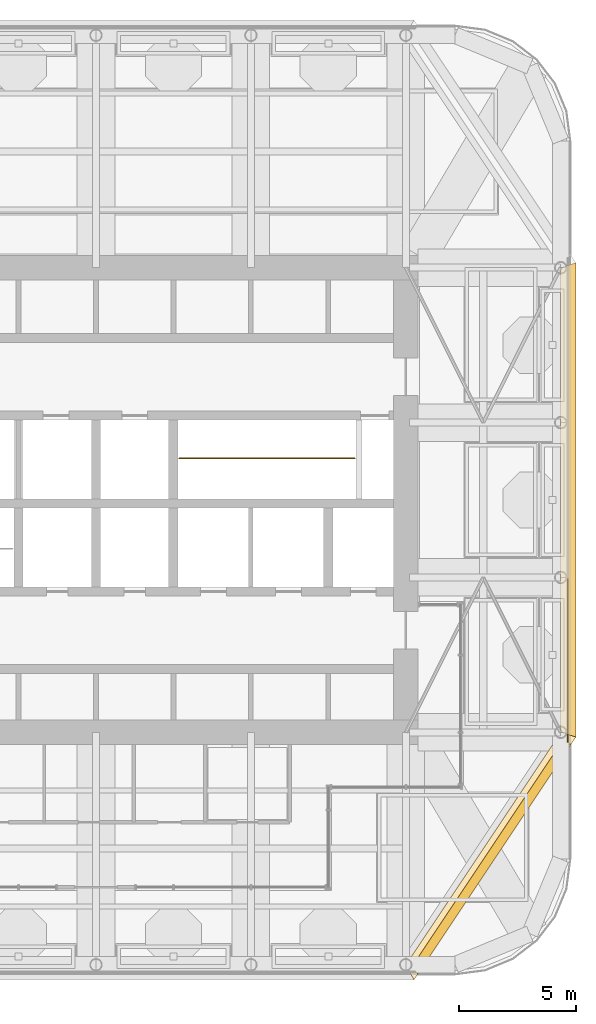
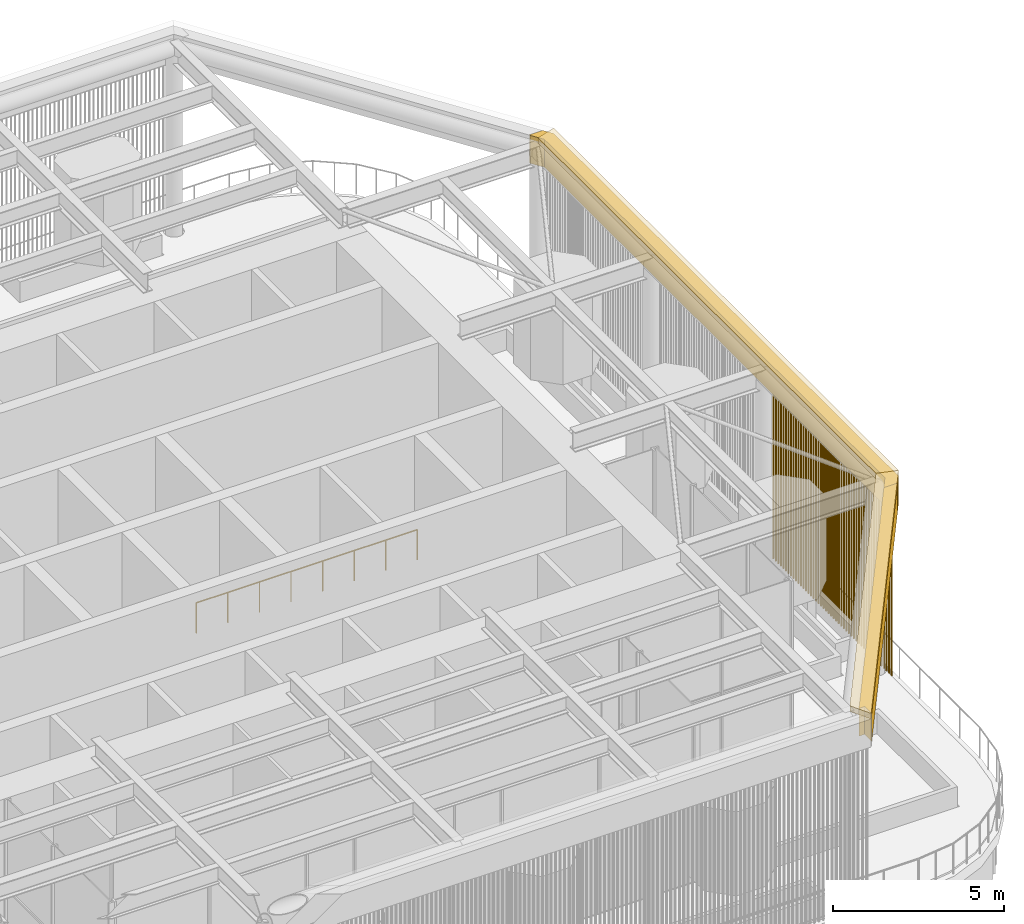
# One storey, part 15 of 22: 5 coverings, 1 railing.
"""IFC4 building model written with IfcOpenShell, lengths in metres."""

from ifc_helpers import new_model, si_unit, direction, frame, origin, place, context, subcontext, project, spatial, polyline, outline, extrude, material, layer, layer_set, type_object, element, save


model = new_model("IFC4")

# Units and contexts
model_context = context("Model", 3, precision=1e-05, world=origin(), true_north=direction((0.0, 1.0)))
body_context = subcontext(model_context, "Body", "Model", "MODEL_VIEW")
ifc_project = project(units=[si_unit("LENGTHUNIT", "METRE"), si_unit("AREAUNIT", "SQUARE_METRE"), si_unit("VOLUMEUNIT", "CUBIC_METRE"), si_unit("PLANEANGLEUNIT", "RADIAN"), si_unit("MASSUNIT", "GRAM", prefix="KILO")], contexts=[model_context])

# Site, building, storey
site_placement = place(None, origin())
site = spatial("IfcSite", under=ifc_project, at=site_placement, CompositionType="ELEMENT")
building_placement = place(site_placement, origin())
building = spatial("IfcBuilding", under=site, at=building_placement, Name="Cobogo Forest Laboratory Tower", CompositionType="ELEMENT")
storey_placement = place(building_placement, frame((0.0, 0.0, 292.800048828125)))
storey = spatial("IfcBuildingStorey", under=building, at=storey_placement, Name="RF", CompositionType="ELEMENT", Elevation=292.800048828125)

# Coverings
ifc_material_1 = material(Name="Terracotta rainscreen panels on steel brackets", Category="masonry")
ifc_layer_1 = layer(ifc_material_1, 0.389892578125)
ifc_layer_set_1 = layer_set([ifc_layer_1], Name="CF1 crown terracotta fascia 390")
covering_type_1 = type_object("IfcCoveringType", Name="CF1 crown terracotta fascia 390", PredefinedType="CLADDING", material=ifc_layer_set_1)
covering_1_placement = place(storey_placement, frame((0.0, 0.0, 5.89990234375)))
element("IfcCovering", 1, at=covering_1_placement, inside=storey, type_object=covering_type_1, Name="Crown fascia SE", PredefinedType="CLADDING", context=body_context, shape_type="SweptSolid", body=[
    extrude(outline(polyline([(39.94775390625, 2.64990234375), (46.64794921875, 12.699951171875), (46.199951171875, 12.699951171875), (46.199951171875, 12.731201171875), (39.91259765625, 3.300048828125), (40.10009765625, 3.300048828125), (40.10009765625, 2.878173828125), (39.94775390625, 2.64990234375)])), origin(), (0.0, 0.0, 1.0), 1.00048828125),
])
covering_2_placement = place(storey_placement, frame((0.0, 0.0, 5.89990234375)))
element("IfcCovering", 2, at=covering_2_placement, inside=storey, type_object=covering_type_1, Name="Crown fascia E", PredefinedType="CLADDING", context=body_context, shape_type="SweptSolid", body=[
    extrude(outline(polyline([(46.85009765625, 33.19677734375), (46.64794921875, 33.5), (46.199951171875, 33.5), (46.199951171875, 33.46875), (46.4599609375, 33.07861328125), (46.4599609375, 13.121337890625), (46.199951171875, 12.731201171875), (46.199951171875, 12.699951171875), (46.64794921875, 12.699951171875), (46.85009765625, 13.003173828125), (46.85009765625, 33.19677734375)])), origin(), (0.0, 0.0, 1.0), 1.00048828125),
])
ifc_material_2 = material(Name="Terracotta coping on steel brackets", Category="masonry")
ifc_layer_2 = layer(ifc_material_2, 0.199951171875)
ifc_layer_set_2 = layer_set([ifc_layer_2], Name="CF2 crown fascia coping 650")
covering_type_2 = type_object("IfcCoveringType", Name="CF2 crown fascia coping 650", PredefinedType="CLADDING", material=ifc_layer_set_2)
covering_3_placement = place(storey_placement, frame((0.0, 0.0, 6.900390625)))
element("IfcCovering", 3, at=covering_3_placement, inside=storey, type_object=covering_type_2, Name="Crown fascia coping SE", PredefinedType="CLADDING", context=body_context, shape_type="SweptSolid", body=[
    extrude(outline(polyline([(39.60009765625, 3.300048828125), (39.94775390625, 2.64990234375), (46.85009765625, 13.003173828125), (46.199951171875, 13.199951171875), (39.60009765625, 3.300048828125)])), origin(), (0.0, 0.0, 1.0), 0.199462890625),
])
covering_4_placement = place(storey_placement, frame((0.0, 0.0, 6.900390625)))
element("IfcCovering", 4, at=covering_4_placement, inside=storey, type_object=covering_type_2, Name="Crown fascia coping E", PredefinedType="CLADDING", context=body_context, shape_type="SweptSolid", body=[
    extrude(outline(polyline([(46.199951171875, 13.199951171875), (46.85009765625, 13.003173828125), (46.85009765625, 33.19677734375), (46.199951171875, 33.0), (46.199951171875, 13.199951171875)])), origin(), (0.0, 0.0, 1.0), 0.199462890625),
])
ifc_material_3 = material(Name="Terracotta baguettes on a galvanised steel top rail", Category="masonry")
covering_type_3 = type_object("IfcCoveringType", Name="CS1 crown terracotta baguette screen", PredefinedType="CLADDING", material=ifc_material_3)
covering_5_placement = place(storey_placement, frame((46.5, 12.800048828125, -0.0009765625)))
element("IfcCovering", 5, at=covering_5_placement, inside=storey, type_object=covering_type_3, Name="Crown screen E1", PredefinedType="CLADDING", context=body_context, shape_type="SweptSolid", body=[
    extrude(outline(polyline([(0.02880859375, 0.011962890625), (0.011962890625, 0.02880859375), (-0.011962890625, 0.02880859375), (-0.02880859375, 0.011962890625), (-0.02880859375, -0.011962890625), (-0.011962890625, -0.02880859375), (0.011962890625, -0.02880859375), (0.02880859375, -0.011962890625), (0.02880859375, 0.011962890625)])), frame((0.0, 0.0, 5.873046875), z_axis=(0.0, 1.0, 0.0), x_axis=(-1.0, 0.0, 0.0)), (0.0, 0.0, 1.0), 6.925048828125),
    extrude(outline(polyline([(0.02880859375, 0.011962890625), (0.011962890625, 0.02880859375), (-0.011962890625, 0.02880859375), (-0.02880859375, 0.011962890625), (-0.02880859375, -0.011962890625), (-0.011962890625, -0.02880859375), (0.011962890625, -0.02880859375), (0.02880859375, -0.011962890625), (0.02880859375, 0.011962890625)])), origin(), (0.0, 0.0, 1.0), 5.841796875),
    extrude(outline(polyline([(0.02880859375, 0.011962890625), (0.011962890625, 0.02880859375), (-0.011962890625, 0.02880859375), (-0.02880859375, 0.011962890625), (-0.02880859375, -0.011962890625), (-0.011962890625, -0.02880859375), (0.011962890625, -0.02880859375), (0.02880859375, -0.011962890625), (0.02880859375, 0.011962890625)])), frame((0.0, 0.1474609375, 0.0)), (0.0, 0.0, 1.0), 5.841796875),
    extrude(outline(polyline([(0.02880859375, 0.011962890625), (0.011962890625, 0.02880859375), (-0.011962890625, 0.02880859375), (-0.02880859375, 0.011962890625), (-0.02880859375, -0.011962890625), (-0.011962890625, -0.02880859375), (0.011962890625, -0.02880859375), (0.02880859375, -0.011962890625), (0.02880859375, 0.011962890625)])), frame((0.0, 0.294677734375, 0.0)), (0.0, 0.0, 1.0), 5.841796875),
    extrude(outline(polyline([(0.02880859375, 0.011962890625), (0.011962890625, 0.02880859375), (-0.011962890625, 0.02880859375), (-0.02880859375, 0.011962890625), (-0.02880859375, -0.011962890625), (-0.011962890625, -0.02880859375), (0.011962890625, -0.02880859375), (0.02880859375, -0.011962890625), (0.02880859375, 0.011962890625)])), frame((0.0, 0.442138671875, 0.0)), (0.0, 0.0, 1.0), 5.841796875),
    extrude(outline(polyline([(0.02880859375, 0.011962890625), (0.011962890625, 0.02880859375), (-0.011962890625, 0.02880859375), (-0.02880859375, 0.011962890625), (-0.02880859375, -0.011962890625), (-0.011962890625, -0.02880859375), (0.011962890625, -0.02880859375), (0.02880859375, -0.011962890625), (0.02880859375, 0.011962890625)])), frame((0.0, 0.58935546875, 0.0)), (0.0, 0.0, 1.0), 5.841796875),
    extrude(outline(polyline([(0.02880859375, 0.011962890625), (0.011962890625, 0.02880859375), (-0.011962890625, 0.02880859375), (-0.02880859375, 0.011962890625), (-0.02880859375, -0.011962890625), (-0.011962890625, -0.02880859375), (0.011962890625, -0.02880859375), (0.02880859375, -0.011962890625), (0.02880859375, 0.011962890625)])), frame((0.0, 0.73681640625, 0.0)), (0.0, 0.0, 1.0), 5.841796875),
    extrude(outline(polyline([(0.02880859375, 0.011962890625), (0.011962890625, 0.02880859375), (-0.011962890625, 0.02880859375), (-0.02880859375, 0.011962890625), (-0.02880859375, -0.011962890625), (-0.011962890625, -0.02880859375), (0.011962890625, -0.02880859375), (0.02880859375, -0.011962890625), (0.02880859375, 0.011962890625)])), frame((0.0, 0.884033203125, 0.0)), (0.0, 0.0, 1.0), 5.841796875),
    extrude(outline(polyline([(0.02880859375, 0.011962890625), (0.011962890625, 0.02880859375), (-0.011962890625, 0.02880859375), (-0.02880859375, 0.011962890625), (-0.02880859375, -0.011962890625), (-0.011962890625, -0.02880859375), (0.011962890625, -0.02880859375), (0.02880859375, -0.011962890625), (0.02880859375, 0.011962890625)])), frame((0.0, 1.031494140625, 0.0)), (0.0, 0.0, 1.0), 5.841796875),
    extrude(outline(polyline([(0.02880859375, 0.011962890625), (0.011962890625, 0.02880859375), (-0.011962890625, 0.02880859375), (-0.02880859375, 0.011962890625), (-0.02880859375, -0.011962890625), (-0.011962890625, -0.02880859375), (0.011962890625, -0.02880859375), (0.02880859375, -0.011962890625), (0.02880859375, 0.011962890625)])), frame((0.0, 1.1787109375, 0.0)), (0.0, 0.0, 1.0), 5.841796875),
    extrude(outline(polyline([(0.02880859375, 0.011962890625), (0.011962890625, 0.02880859375), (-0.011962890625, 0.02880859375), (-0.02880859375, 0.011962890625), (-0.02880859375, -0.011962890625), (-0.011962890625, -0.02880859375), (0.011962890625, -0.02880859375), (0.02880859375, -0.011962890625), (0.02880859375, 0.011962890625)])), frame((0.0, 1.326171875, 0.0)), (0.0, 0.0, 1.0), 5.841796875),
    extrude(outline(polyline([(0.02880859375, 0.011962890625), (0.011962890625, 0.02880859375), (-0.011962890625, 0.02880859375), (-0.02880859375, 0.011962890625), (-0.02880859375, -0.011962890625), (-0.011962890625, -0.02880859375), (0.011962890625, -0.02880859375), (0.02880859375, -0.011962890625), (0.02880859375, 0.011962890625)])), frame((0.0, 1.473388671875, 0.0)), (0.0, 0.0, 1.0), 5.841796875),
    extrude(outline(polyline([(0.02880859375, 0.011962890625), (0.011962890625, 0.02880859375), (-0.011962890625, 0.02880859375), (-0.02880859375, 0.011962890625), (-0.02880859375, -0.011962890625), (-0.011962890625, -0.02880859375), (0.011962890625, -0.02880859375), (0.02880859375, -0.011962890625), (0.02880859375, 0.011962890625)])), frame((0.0, 1.620849609375, 0.0)), (0.0, 0.0, 1.0), 5.841796875),
    extrude(outline(polyline([(0.02880859375, 0.011962890625), (0.011962890625, 0.02880859375), (-0.011962890625, 0.02880859375), (-0.02880859375, 0.011962890625), (-0.02880859375, -0.011962890625), (-0.011962890625, -0.02880859375), (0.011962890625, -0.02880859375), (0.02880859375, -0.011962890625), (0.02880859375, 0.011962890625)])), frame((0.0, 1.76806640625, 0.0)), (0.0, 0.0, 1.0), 5.841796875),
    extrude(outline(polyline([(0.02880859375, 0.011962890625), (0.011962890625, 0.02880859375), (-0.011962890625, 0.02880859375), (-0.02880859375, 0.011962890625), (-0.02880859375, -0.011962890625), (-0.011962890625, -0.02880859375), (0.011962890625, -0.02880859375), (0.02880859375, -0.011962890625), (0.02880859375, 0.011962890625)])), frame((0.0, 1.91552734375, 0.0)), (0.0, 0.0, 1.0), 5.841796875),
    extrude(outline(polyline([(0.02880859375, 0.011962890625), (0.011962890625, 0.02880859375), (-0.011962890625, 0.02880859375), (-0.02880859375, 0.011962890625), (-0.02880859375, -0.011962890625), (-0.011962890625, -0.02880859375), (0.011962890625, -0.02880859375), (0.02880859375, -0.011962890625), (0.02880859375, 0.011962890625)])), frame((0.0, 2.062744140625, 0.0)), (0.0, 0.0, 1.0), 5.841796875),
    extrude(outline(polyline([(0.02880859375, 0.011962890625), (0.011962890625, 0.02880859375), (-0.011962890625, 0.02880859375), (-0.02880859375, 0.011962890625), (-0.02880859375, -0.011962890625), (-0.011962890625, -0.02880859375), (0.011962890625, -0.02880859375), (0.02880859375, -0.011962890625), (0.02880859375, 0.011962890625)])), frame((0.0, 2.210205078125, 0.0)), (0.0, 0.0, 1.0), 5.841796875),
    extrude(outline(polyline([(0.02880859375, 0.011962890625), (0.011962890625, 0.02880859375), (-0.011962890625, 0.02880859375), (-0.02880859375, 0.011962890625), (-0.02880859375, -0.011962890625), (-0.011962890625, -0.02880859375), (0.011962890625, -0.02880859375), (0.02880859375, -0.011962890625), (0.02880859375, 0.011962890625)])), frame((0.0, 2.357421875, 0.0)), (0.0, 0.0, 1.0), 5.841796875),
    extrude(outline(polyline([(0.02880859375, 0.011962890625), (0.011962890625, 0.02880859375), (-0.011962890625, 0.02880859375), (-0.02880859375, 0.011962890625), (-0.02880859375, -0.011962890625), (-0.011962890625, -0.02880859375), (0.011962890625, -0.02880859375), (0.02880859375, -0.011962890625), (0.02880859375, 0.011962890625)])), frame((0.0, 2.5048828125, 0.0)), (0.0, 0.0, 1.0), 5.841796875),
    extrude(outline(polyline([(0.02880859375, 0.011962890625), (0.011962890625, 0.02880859375), (-0.011962890625, 0.02880859375), (-0.02880859375, 0.011962890625), (-0.02880859375, -0.011962890625), (-0.011962890625, -0.02880859375), (0.011962890625, -0.02880859375), (0.02880859375, -0.011962890625), (0.02880859375, 0.011962890625)])), frame((0.0, 2.652099609375, 0.0)), (0.0, 0.0, 1.0), 5.841796875),
    extrude(outline(polyline([(0.02880859375, 0.011962890625), (0.011962890625, 0.02880859375), (-0.011962890625, 0.02880859375), (-0.02880859375, 0.011962890625), (-0.02880859375, -0.011962890625), (-0.011962890625, -0.02880859375), (0.011962890625, -0.02880859375), (0.02880859375, -0.011962890625), (0.02880859375, 0.011962890625)])), frame((0.0, 2.799560546875, 0.0)), (0.0, 0.0, 1.0), 5.841796875),
    extrude(outline(polyline([(0.02880859375, 0.011962890625), (0.011962890625, 0.02880859375), (-0.011962890625, 0.02880859375), (-0.02880859375, 0.011962890625), (-0.02880859375, -0.011962890625), (-0.011962890625, -0.02880859375), (0.011962890625, -0.02880859375), (0.02880859375, -0.011962890625), (0.02880859375, 0.011962890625)])), frame((0.0, 2.94677734375, 0.0)), (0.0, 0.0, 1.0), 5.841796875),
    extrude(outline(polyline([(0.02880859375, 0.011962890625), (0.011962890625, 0.02880859375), (-0.011962890625, 0.02880859375), (-0.02880859375, 0.011962890625), (-0.02880859375, -0.011962890625), (-0.011962890625, -0.02880859375), (0.011962890625, -0.02880859375), (0.02880859375, -0.011962890625), (0.02880859375, 0.011962890625)])), frame((0.0, 3.09423828125, 0.0)), (0.0, 0.0, 1.0), 5.841796875),
    extrude(outline(polyline([(0.02880859375, 0.011962890625), (0.011962890625, 0.02880859375), (-0.011962890625, 0.02880859375), (-0.02880859375, 0.011962890625), (-0.02880859375, -0.011962890625), (-0.011962890625, -0.02880859375), (0.011962890625, -0.02880859375), (0.02880859375, -0.011962890625), (0.02880859375, 0.011962890625)])), frame((0.0, 3.241455078125, 0.0)), (0.0, 0.0, 1.0), 5.841796875),
    extrude(outline(polyline([(0.02880859375, 0.011962890625), (0.011962890625, 0.02880859375), (-0.011962890625, 0.02880859375), (-0.02880859375, 0.011962890625), (-0.02880859375, -0.011962890625), (-0.011962890625, -0.02880859375), (0.011962890625, -0.02880859375), (0.02880859375, -0.011962890625), (0.02880859375, 0.011962890625)])), frame((0.0, 3.388916015625, 0.0)), (0.0, 0.0, 1.0), 5.841796875),
    extrude(outline(polyline([(0.02880859375, 0.011962890625), (0.011962890625, 0.02880859375), (-0.011962890625, 0.02880859375), (-0.02880859375, 0.011962890625), (-0.02880859375, -0.011962890625), (-0.011962890625, -0.02880859375), (0.011962890625, -0.02880859375), (0.02880859375, -0.011962890625), (0.02880859375, 0.011962890625)])), frame((0.0, 3.5361328125, 0.0)), (0.0, 0.0, 1.0), 5.841796875),
    extrude(outline(polyline([(0.02880859375, 0.011962890625), (0.011962890625, 0.02880859375), (-0.011962890625, 0.02880859375), (-0.02880859375, 0.011962890625), (-0.02880859375, -0.011962890625), (-0.011962890625, -0.02880859375), (0.011962890625, -0.02880859375), (0.02880859375, -0.011962890625), (0.02880859375, 0.011962890625)])), frame((0.0, 3.68359375, 0.0)), (0.0, 0.0, 1.0), 5.841796875),
    extrude(outline(polyline([(0.02880859375, 0.011962890625), (0.011962890625, 0.02880859375), (-0.011962890625, 0.02880859375), (-0.02880859375, 0.011962890625), (-0.02880859375, -0.011962890625), (-0.011962890625, -0.02880859375), (0.011962890625, -0.02880859375), (0.02880859375, -0.011962890625), (0.02880859375, 0.011962890625)])), frame((0.0, 3.830810546875, 0.0)), (0.0, 0.0, 1.0), 5.841796875),
    extrude(outline(polyline([(0.02880859375, 0.011962890625), (0.011962890625, 0.02880859375), (-0.011962890625, 0.02880859375), (-0.02880859375, 0.011962890625), (-0.02880859375, -0.011962890625), (-0.011962890625, -0.02880859375), (0.011962890625, -0.02880859375), (0.02880859375, -0.011962890625), (0.02880859375, 0.011962890625)])), frame((0.0, 3.978271484375, 0.0)), (0.0, 0.0, 1.0), 5.841796875),
    extrude(outline(polyline([(0.02880859375, 0.011962890625), (0.011962890625, 0.02880859375), (-0.011962890625, 0.02880859375), (-0.02880859375, 0.011962890625), (-0.02880859375, -0.011962890625), (-0.011962890625, -0.02880859375), (0.011962890625, -0.02880859375), (0.02880859375, -0.011962890625), (0.02880859375, 0.011962890625)])), frame((0.0, 4.12548828125, 0.0)), (0.0, 0.0, 1.0), 5.841796875),
    extrude(outline(polyline([(0.02880859375, 0.011962890625), (0.011962890625, 0.02880859375), (-0.011962890625, 0.02880859375), (-0.02880859375, 0.011962890625), (-0.02880859375, -0.011962890625), (-0.011962890625, -0.02880859375), (0.011962890625, -0.02880859375), (0.02880859375, -0.011962890625), (0.02880859375, 0.011962890625)])), frame((0.0, 4.27294921875, 0.0)), (0.0, 0.0, 1.0), 5.841796875),
    extrude(outline(polyline([(0.02880859375, 0.011962890625), (0.011962890625, 0.02880859375), (-0.011962890625, 0.02880859375), (-0.02880859375, 0.011962890625), (-0.02880859375, -0.011962890625), (-0.011962890625, -0.02880859375), (0.011962890625, -0.02880859375), (0.02880859375, -0.011962890625), (0.02880859375, 0.011962890625)])), frame((0.0, 4.420166015625, 0.0)), (0.0, 0.0, 1.0), 5.841796875),
    extrude(outline(polyline([(0.02880859375, 0.011962890625), (0.011962890625, 0.02880859375), (-0.011962890625, 0.02880859375), (-0.02880859375, 0.011962890625), (-0.02880859375, -0.011962890625), (-0.011962890625, -0.02880859375), (0.011962890625, -0.02880859375), (0.02880859375, -0.011962890625), (0.02880859375, 0.011962890625)])), frame((0.0, 4.567626953125, 0.0)), (0.0, 0.0, 1.0), 5.841796875),
    extrude(outline(polyline([(0.02880859375, 0.011962890625), (0.011962890625, 0.02880859375), (-0.011962890625, 0.02880859375), (-0.02880859375, 0.011962890625), (-0.02880859375, -0.011962890625), (-0.011962890625, -0.02880859375), (0.011962890625, -0.02880859375), (0.02880859375, -0.011962890625), (0.02880859375, 0.011962890625)])), frame((0.0, 4.71484375, 0.0)), (0.0, 0.0, 1.0), 5.841796875),
    extrude(outline(polyline([(0.02880859375, 0.011962890625), (0.011962890625, 0.02880859375), (-0.011962890625, 0.02880859375), (-0.02880859375, 0.011962890625), (-0.02880859375, -0.011962890625), (-0.011962890625, -0.02880859375), (0.011962890625, -0.02880859375), (0.02880859375, -0.011962890625), (0.02880859375, 0.011962890625)])), frame((0.0, 4.8623046875, 0.0)), (0.0, 0.0, 1.0), 5.841796875),
    extrude(outline(polyline([(0.02880859375, 0.011962890625), (0.011962890625, 0.02880859375), (-0.011962890625, 0.02880859375), (-0.02880859375, 0.011962890625), (-0.02880859375, -0.011962890625), (-0.011962890625, -0.02880859375), (0.011962890625, -0.02880859375), (0.02880859375, -0.011962890625), (0.02880859375, 0.011962890625)])), frame((0.0, 5.009521484375, 0.0)), (0.0, 0.0, 1.0), 5.841796875),
    extrude(outline(polyline([(0.02880859375, 0.011962890625), (0.011962890625, 0.02880859375), (-0.011962890625, 0.02880859375), (-0.02880859375, 0.011962890625), (-0.02880859375, -0.011962890625), (-0.011962890625, -0.02880859375), (0.011962890625, -0.02880859375), (0.02880859375, -0.011962890625), (0.02880859375, 0.011962890625)])), frame((0.0, 5.156982421875, 0.0)), (0.0, 0.0, 1.0), 5.841796875),
    extrude(outline(polyline([(0.02880859375, 0.011962890625), (0.011962890625, 0.02880859375), (-0.011962890625, 0.02880859375), (-0.02880859375, 0.011962890625), (-0.02880859375, -0.011962890625), (-0.011962890625, -0.02880859375), (0.011962890625, -0.02880859375), (0.02880859375, -0.011962890625), (0.02880859375, 0.011962890625)])), frame((0.0, 5.30419921875, 0.0)), (0.0, 0.0, 1.0), 5.841796875),
    extrude(outline(polyline([(0.02880859375, 0.011962890625), (0.011962890625, 0.02880859375), (-0.011962890625, 0.02880859375), (-0.02880859375, 0.011962890625), (-0.02880859375, -0.011962890625), (-0.011962890625, -0.02880859375), (0.011962890625, -0.02880859375), (0.02880859375, -0.011962890625), (0.02880859375, 0.011962890625)])), frame((0.0, 5.45166015625, 0.0)), (0.0, 0.0, 1.0), 5.841796875),
    extrude(outline(polyline([(0.02880859375, 0.011962890625), (0.011962890625, 0.02880859375), (-0.011962890625, 0.02880859375), (-0.02880859375, 0.011962890625), (-0.02880859375, -0.011962890625), (-0.011962890625, -0.02880859375), (0.011962890625, -0.02880859375), (0.02880859375, -0.011962890625), (0.02880859375, 0.011962890625)])), frame((0.0, 5.598876953125, 0.0)), (0.0, 0.0, 1.0), 5.841796875),
    extrude(outline(polyline([(0.02880859375, 0.011962890625), (0.011962890625, 0.02880859375), (-0.011962890625, 0.02880859375), (-0.02880859375, 0.011962890625), (-0.02880859375, -0.011962890625), (-0.011962890625, -0.02880859375), (0.011962890625, -0.02880859375), (0.02880859375, -0.011962890625), (0.02880859375, 0.011962890625)])), frame((0.0, 5.746337890625, 0.0)), (0.0, 0.0, 1.0), 5.841796875),
    extrude(outline(polyline([(0.02880859375, 0.011962890625), (0.011962890625, 0.02880859375), (-0.011962890625, 0.02880859375), (-0.02880859375, 0.011962890625), (-0.02880859375, -0.011962890625), (-0.011962890625, -0.02880859375), (0.011962890625, -0.02880859375), (0.02880859375, -0.011962890625), (0.02880859375, 0.011962890625)])), frame((0.0, 5.8935546875, 0.0)), (0.0, 0.0, 1.0), 5.841796875),
    extrude(outline(polyline([(0.02880859375, 0.011962890625), (0.011962890625, 0.02880859375), (-0.011962890625, 0.02880859375), (-0.02880859375, 0.011962890625), (-0.02880859375, -0.011962890625), (-0.011962890625, -0.02880859375), (0.011962890625, -0.02880859375), (0.02880859375, -0.011962890625), (0.02880859375, 0.011962890625)])), frame((0.0, 6.041015625, 0.0)), (0.0, 0.0, 1.0), 5.841796875),
    extrude(outline(polyline([(0.02880859375, 0.011962890625), (0.011962890625, 0.02880859375), (-0.011962890625, 0.02880859375), (-0.02880859375, 0.011962890625), (-0.02880859375, -0.011962890625), (-0.011962890625, -0.02880859375), (0.011962890625, -0.02880859375), (0.02880859375, -0.011962890625), (0.02880859375, 0.011962890625)])), frame((0.0, 6.188232421875, 0.0)), (0.0, 0.0, 1.0), 5.841796875),
    extrude(outline(polyline([(0.02880859375, 0.011962890625), (0.011962890625, 0.02880859375), (-0.011962890625, 0.02880859375), (-0.02880859375, 0.011962890625), (-0.02880859375, -0.011962890625), (-0.011962890625, -0.02880859375), (0.011962890625, -0.02880859375), (0.02880859375, -0.011962890625), (0.02880859375, 0.011962890625)])), frame((0.0, 6.335693359375, 0.0)), (0.0, 0.0, 1.0), 5.841796875),
    extrude(outline(polyline([(0.02880859375, 0.011962890625), (0.011962890625, 0.02880859375), (-0.011962890625, 0.02880859375), (-0.02880859375, 0.011962890625), (-0.02880859375, -0.011962890625), (-0.011962890625, -0.02880859375), (0.011962890625, -0.02880859375), (0.02880859375, -0.011962890625), (0.02880859375, 0.011962890625)])), frame((0.0, 6.48291015625, 0.0)), (0.0, 0.0, 1.0), 5.841796875),
    extrude(outline(polyline([(0.02880859375, 0.011962890625), (0.011962890625, 0.02880859375), (-0.011962890625, 0.02880859375), (-0.02880859375, 0.011962890625), (-0.02880859375, -0.011962890625), (-0.011962890625, -0.02880859375), (0.011962890625, -0.02880859375), (0.02880859375, -0.011962890625), (0.02880859375, 0.011962890625)])), frame((0.0, 6.63037109375, 0.0)), (0.0, 0.0, 1.0), 5.841796875),
    extrude(outline(polyline([(0.02880859375, 0.011962890625), (0.011962890625, 0.02880859375), (-0.011962890625, 0.02880859375), (-0.02880859375, 0.011962890625), (-0.02880859375, -0.011962890625), (-0.011962890625, -0.02880859375), (0.011962890625, -0.02880859375), (0.02880859375, -0.011962890625), (0.02880859375, 0.011962890625)])), frame((0.0, 6.777587890625, 0.0)), (0.0, 0.0, 1.0), 5.841796875),
    extrude(outline(polyline([(0.02880859375, 0.011962890625), (0.011962890625, 0.02880859375), (-0.011962890625, 0.02880859375), (-0.02880859375, 0.011962890625), (-0.02880859375, -0.011962890625), (-0.011962890625, -0.02880859375), (0.011962890625, -0.02880859375), (0.02880859375, -0.011962890625), (0.02880859375, 0.011962890625)])), frame((0.0, 6.925048828125, 0.0)), (0.0, 0.0, 1.0), 5.841796875),
])

# Railing
ifc_material_4 = material(Name="Steel balustrade", Category="steel")
railing_type = type_object("IfcRailingType", Name="GR stair guard 1100", PredefinedType="GUARDRAIL", material=ifc_material_4)
railing_placement = place(storey_placement, frame((29.949951171875, 24.875, 0.0)))
element("IfcRailing", 6, at=railing_placement, inside=storey, type_object=railing_type, Name="Stair well guard ST2 RF", PredefinedType="GUARDRAIL", context=body_context, shape_type="SweptSolid", body=[
    extrude(outline(polyline([(0.022216796875, 0.00927734375), (0.00927734375, 0.022216796875), (-0.00927734375, 0.022216796875), (-0.022216796875, 0.00927734375), (-0.022216796875, -0.00927734375), (-0.00927734375, -0.022216796875), (0.00927734375, -0.022216796875), (0.022216796875, -0.00927734375), (0.022216796875, 0.00927734375)])), frame((0.0, 0.0, 1.077880859375), z_axis=(1.0, 0.0, 0.0), x_axis=(0.0, 1.0, 0.0)), (0.0, 0.0, 1.0), 7.47509765625),
    extrude(outline(polyline([(0.019287109375, 0.008056640625), (0.008056640625, 0.019287109375), (-0.008056640625, 0.019287109375), (-0.019287109375, 0.008056640625), (-0.019287109375, -0.008056640625), (-0.008056640625, -0.019287109375), (0.008056640625, -0.019287109375), (0.019287109375, -0.008056640625), (0.019287109375, 0.008056640625)])), origin(), (0.0, 0.0, 1.0), 1.077880859375),
    extrude(outline(polyline([(0.019287109375, 0.008056640625), (0.008056640625, 0.019287109375), (-0.008056640625, 0.019287109375), (-0.019287109375, 0.008056640625), (-0.019287109375, -0.008056640625), (-0.008056640625, -0.019287109375), (0.008056640625, -0.019287109375), (0.019287109375, -0.008056640625), (0.019287109375, 0.008056640625)])), frame((1.06787109375, 0.0, 0.0)), (0.0, 0.0, 1.0), 1.077880859375),
    extrude(outline(polyline([(0.019287109375, 0.008056640625), (0.008056640625, 0.019287109375), (-0.008056640625, 0.019287109375), (-0.019287109375, 0.008056640625), (-0.019287109375, -0.008056640625), (-0.008056640625, -0.019287109375), (0.008056640625, -0.019287109375), (0.019287109375, -0.008056640625), (0.019287109375, 0.008056640625)])), frame((2.1357421875, 0.0, 0.0)), (0.0, 0.0, 1.0), 1.077880859375),
    extrude(outline(polyline([(0.019287109375, 0.008056640625), (0.008056640625, 0.019287109375), (-0.008056640625, 0.019287109375), (-0.019287109375, 0.008056640625), (-0.019287109375, -0.008056640625), (-0.008056640625, -0.019287109375), (0.008056640625, -0.019287109375), (0.019287109375, -0.008056640625), (0.019287109375, 0.008056640625)])), frame((3.20361328125, 0.0, 0.0)), (0.0, 0.0, 1.0), 1.077880859375),
    extrude(outline(polyline([(0.019287109375, 0.008056640625), (0.008056640625, 0.019287109375), (-0.008056640625, 0.019287109375), (-0.019287109375, 0.008056640625), (-0.019287109375, -0.008056640625), (-0.008056640625, -0.019287109375), (0.008056640625, -0.019287109375), (0.019287109375, -0.008056640625), (0.019287109375, 0.008056640625)])), frame((4.271484375, 0.0, 0.0)), (0.0, 0.0, 1.0), 1.077880859375),
    extrude(outline(polyline([(0.019287109375, 0.008056640625), (0.008056640625, 0.019287109375), (-0.008056640625, 0.019287109375), (-0.019287109375, 0.008056640625), (-0.019287109375, -0.008056640625), (-0.008056640625, -0.019287109375), (0.008056640625, -0.019287109375), (0.019287109375, -0.008056640625), (0.019287109375, 0.008056640625)])), frame((5.33935546875, 0.0, 0.0)), (0.0, 0.0, 1.0), 1.077880859375),
    extrude(outline(polyline([(0.019287109375, 0.008056640625), (0.008056640625, 0.019287109375), (-0.008056640625, 0.019287109375), (-0.019287109375, 0.008056640625), (-0.019287109375, -0.008056640625), (-0.008056640625, -0.019287109375), (0.008056640625, -0.019287109375), (0.019287109375, -0.008056640625), (0.019287109375, 0.008056640625)])), frame((6.4072265625, 0.0, 0.0)), (0.0, 0.0, 1.0), 1.077880859375),
    extrude(outline(polyline([(0.019287109375, 0.008056640625), (0.008056640625, 0.019287109375), (-0.008056640625, 0.019287109375), (-0.019287109375, 0.008056640625), (-0.019287109375, -0.008056640625), (-0.008056640625, -0.019287109375), (0.008056640625, -0.019287109375), (0.019287109375, -0.008056640625), (0.019287109375, 0.008056640625)])), frame((7.47509765625, 0.0, 0.0)), (0.0, 0.0, 1.0), 1.077880859375),
])

save(model, "model.ifc")
